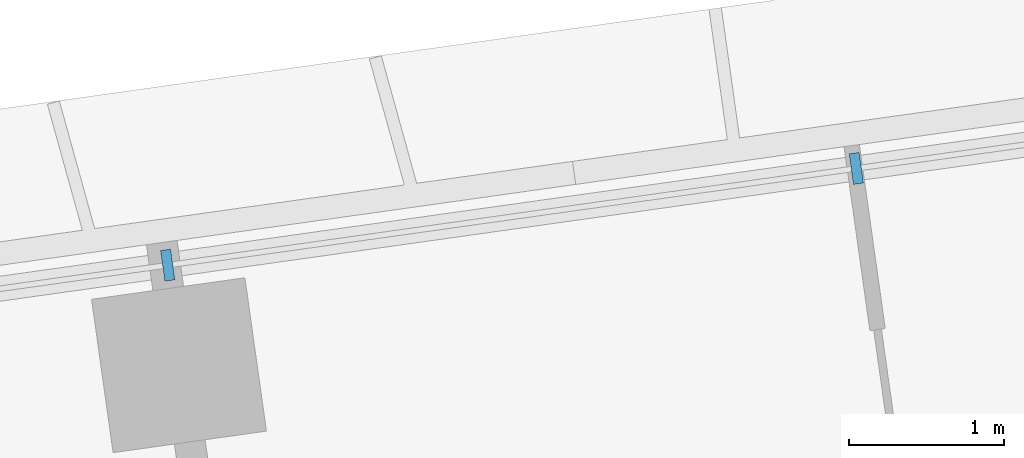
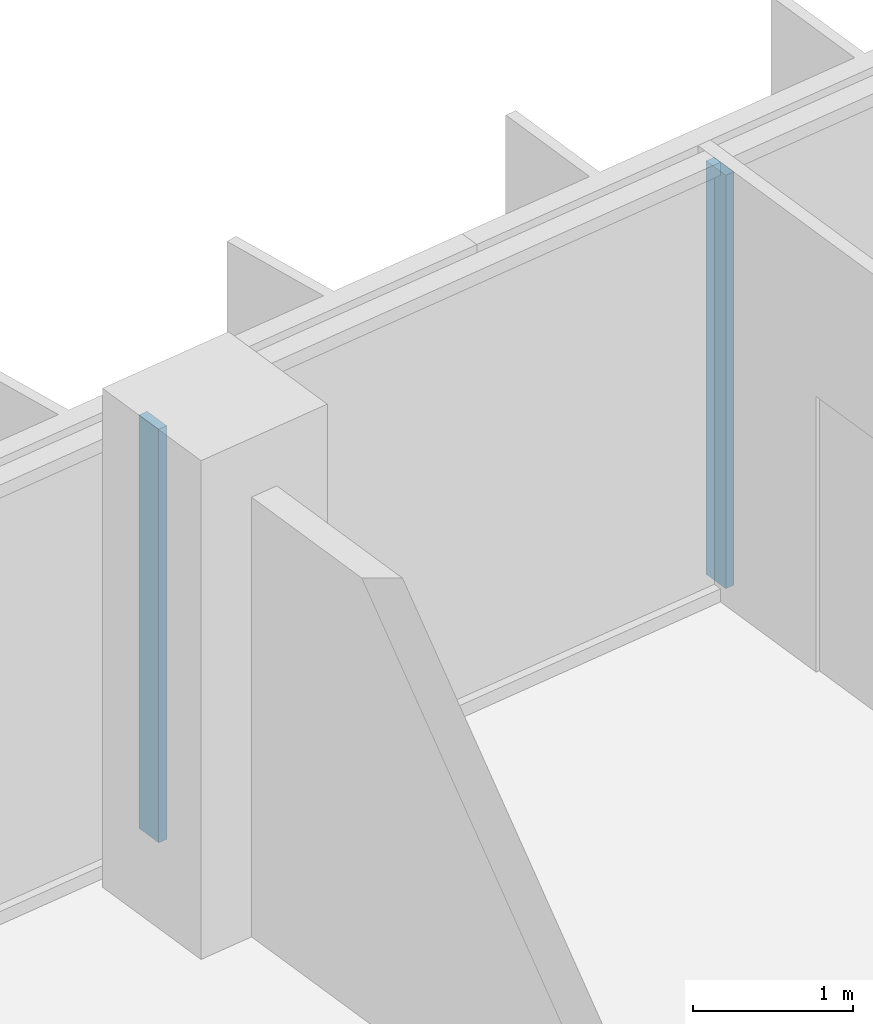
# One storey, part 8 of 25: 2 members, 1 element without a shape of its own.
"""IFC4 building model written with IfcOpenShell, lengths in metres."""

from ifc_helpers import new_model, si_unit, direction, frame, origin, origin_2d, place, context, subcontext, project, spatial, rectangle, extrude, material, material_profile, profile_set, type_object, element, aggregate, save


model = new_model("IFC4")

# Units and contexts
model_context = context("Model", 3, precision=1e-05, world=origin(), true_north=direction((0.0, 1.0)))
body_context = subcontext(model_context, "Body", "Model", "MODEL_VIEW")
ifc_project = project(units=[si_unit("LENGTHUNIT", "METRE"), si_unit("AREAUNIT", "SQUARE_METRE"), si_unit("VOLUMEUNIT", "CUBIC_METRE"), si_unit("PLANEANGLEUNIT", "RADIAN"), si_unit("MASSUNIT", "GRAM", prefix="KILO")], contexts=[model_context])

# Site, building, storey
site_placement = place(None, origin())
site = spatial("IfcSite", under=ifc_project, at=site_placement, CompositionType="ELEMENT")
building_placement = place(site_placement, origin())
building = spatial("IfcBuilding", under=site, at=building_placement, Name="Mirante Cascada Hotel Towers", CompositionType="ELEMENT")
storey_placement = place(building_placement, frame((0.0, 0.0, 62.3)))
storey = spatial("IfcBuildingStorey", under=building, at=storey_placement, Name="L12", CompositionType="ELEMENT", Elevation=62.3)

# Curtain wall, members
ifc_material_1 = material(Name="Aluminium mullion and transom frame with clear laminated glass", Category="aluminium")
curtain_wall_type = type_object("IfcCurtainWallType", Name="Ribbon curtain wall ECW1", PredefinedType="NOTDEFINED", material=ifc_material_1)
curtain_wall_placement = place(storey_placement, origin())
curtain_wall = element("IfcCurtainWall", 1, at=curtain_wall_placement, inside=storey, type_object=curtain_wall_type, Name="Front ribbon wall T2 L12", PredefinedType="NOTDEFINED")
ifc_material_2 = material(Name="Anodised aluminium extrusion", Category="aluminium")
ifc_material_profile = material_profile(ifc_material_2, rectangle(XDim=0.2, YDim=0.065, at=origin_2d()), Name="ECW1 MULLION 65x200")
ifc_profile_set = profile_set([ifc_material_profile], Name="Anodised aluminium extrusion")
member_type = type_object("IfcMemberType", Name="ECW1 mullion 65x200", PredefinedType="MULLION", material=ifc_profile_set)
member_1_placement = place(storey_placement, frame((58.5788, 21.0517, 0.1), z_axis=(0.0, 0.0, 1.0), x_axis=(0.1391731, -0.9902681, 0.0)))
member_1 = element("IfcMember", 2, at=member_1_placement, type_object=member_type, Name="ECW1 mullion 9", PredefinedType="MULLION", context=body_context, shape_type="SweptSolid", body=[
    extrude(rectangle(XDim=0.2, YDim=0.065, at=origin_2d()), origin(), (0.0, 0.0, 1.0), 3.15),
])
member_2_placement = place(storey_placement, frame((54.1314, 20.4267, 0.1), z_axis=(0.0, 0.0, 1.0), x_axis=(0.1391731, -0.9902681, 0.0)))
member_2 = element("IfcMember", 3, at=member_2_placement, type_object=member_type, Name="ECW1 mullion 10", PredefinedType="MULLION", context=body_context, shape_type="SweptSolid", body=[
    extrude(rectangle(XDim=0.2, YDim=0.065, at=origin_2d()), origin(), (0.0, 0.0, 1.0), 3.15),
])
aggregate(curtain_wall, [member_1, member_2])

save(model, "model.ifc")
